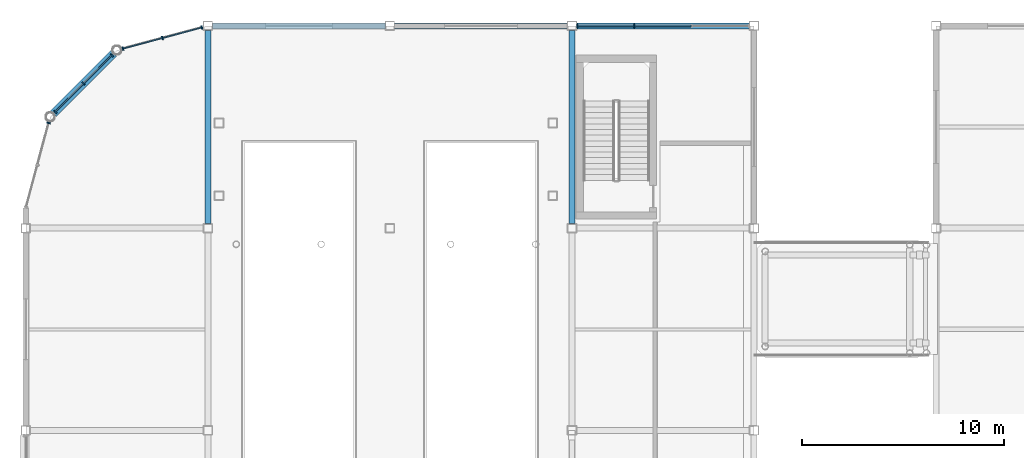
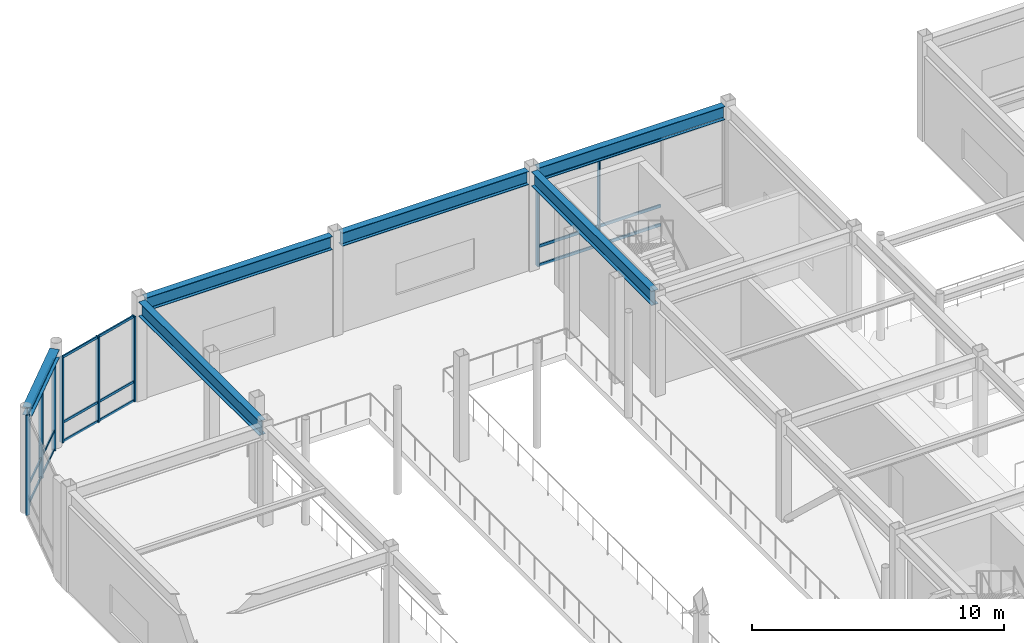
# One storey, part 44 of 123: 27 members, 6 beams, 4 elements without a shape of their own.
"""IFC4 building model written with IfcOpenShell, lengths in metres."""

from ifc_helpers import new_model, si_unit, direction, frame, origin, origin_2d, place, context, subcontext, project, spatial, rectangle, i_section, extrude, material, material_profile, profile_set, type_object, element, aggregate, save


model = new_model("IFC4")

# Units and contexts
model_context = context("Model", 3, precision=1e-05, world=origin(), true_north=direction((0.0, 1.0)))
body_context = subcontext(model_context, "Body", "Model", "MODEL_VIEW")
ifc_project = project(units=[si_unit("LENGTHUNIT", "METRE"), si_unit("AREAUNIT", "SQUARE_METRE"), si_unit("VOLUMEUNIT", "CUBIC_METRE"), si_unit("PLANEANGLEUNIT", "RADIAN"), si_unit("MASSUNIT", "GRAM", prefix="KILO")], contexts=[model_context])

# Site, building, storey
site_placement = place(None, origin())
site = spatial("IfcSite", under=ifc_project, at=site_placement, CompositionType="ELEMENT")
building_placement = place(site_placement, origin())
building = spatial("IfcBuilding", under=site, at=building_placement, Name="Suzunagisa Mobility Hub", CompositionType="ELEMENT")
storey_placement = place(building_placement, origin())
storey = spatial("IfcBuildingStorey", under=building, at=storey_placement, Name="L00", CompositionType="ELEMENT", Elevation=0.0)

# Curtain wall, members
ifc_material_1 = material(Name="Thermally Broken Anodized Aluminum and Low-E Glazing", Category="aluminium")
curtain_wall_type_1 = type_object("IfcCurtainWallType", Name="Unitised Curtain Wall CW-32 8500x4200", PredefinedType="USERDEFINED", material=ifc_material_1)
curtain_wall_1_placement = place(storey_placement, origin())
curtain_wall_1 = element("IfcCurtainWall", 1, at=curtain_wall_1_placement, inside=storey, type_object=curtain_wall_type_1, Name="L00 Unitised Curtain Wall CW-47", ObjectType="UNITISED CURTAIN WALL", PredefinedType="USERDEFINED")
ifc_material_2 = material(Name="Anodized Aluminum 6063-T6", Category="aluminium")
ifc_material_profile_1 = material_profile(ifc_material_2, rectangle(XDim=0.06494140625, YDim=0.139892578125, at=origin_2d()), Name="TRAN-65x140")
ifc_profile_set_1 = profile_set([ifc_material_profile_1], Name="Anodized Aluminum 6063-T6")
member_type_1 = type_object("IfcMemberType", Name="Curtain Wall Framing CM-01 TRAN-65x140", PredefinedType="USERDEFINED", material=ifc_profile_set_1)
member_1_placement = place(storey_placement, frame((32.89453125, 118.0, 0.032470703125), z_axis=(-1.0, 0.0, 0.0), x_axis=(0.0, -1.0, 0.0)))
member_1 = element("IfcMember", 2, at=member_1_placement, type_object=member_type_1, Name="Curtain Wall Transom 47-T2.1", ObjectType="TRANSOM", PredefinedType="USERDEFINED", context=body_context, shape_type="SweptSolid", body=[
    extrude(rectangle(XDim=0.06494140625, YDim=0.139892578125, at=origin_2d()), origin(), (0.0, 0.0, 1.0), 2.7890625),
])
member_2_placement = place(storey_placement, frame((32.89453125, 118.0, 0.949951171875), z_axis=(-1.0, 0.0, 0.0), x_axis=(0.0, -1.0, 0.0)))
member_2 = element("IfcMember", 3, at=member_2_placement, type_object=member_type_1, Name="Curtain Wall Transom 47-T2.2", ObjectType="TRANSOM", PredefinedType="USERDEFINED", context=body_context, shape_type="SweptSolid", body=[
    extrude(rectangle(XDim=0.06494140625, YDim=0.139892578125, at=origin_2d()), origin(), (0.0, 0.0, 1.0), 2.7890625),
])
member_3_placement = place(storey_placement, frame((32.89453125, 118.0, 4.157470703125), z_axis=(-1.0, 0.0, 0.0), x_axis=(0.0, -1.0, 0.0)))
member_3 = element("IfcMember", 4, at=member_3_placement, type_object=member_type_1, Name="Curtain Wall Transom 47-T2.3", ObjectType="TRANSOM", PredefinedType="USERDEFINED", context=body_context, shape_type="SweptSolid", body=[
    extrude(rectangle(XDim=0.06494140625, YDim=0.139892578125, at=origin_2d()), origin(), (0.0, 0.0, 1.0), 2.7890625),
])
member_4_placement = place(storey_placement, frame((30.04443359375, 118.0, 0.032470703125), z_axis=(-1.0, 0.0, 0.0), x_axis=(0.0, -1.0, 0.0)))
member_4 = element("IfcMember", 5, at=member_4_placement, type_object=member_type_1, Name="Curtain Wall Transom 47-T3.1", ObjectType="TRANSOM", PredefinedType="USERDEFINED", context=body_context, shape_type="SweptSolid", body=[
    extrude(rectangle(XDim=0.06494140625, YDim=0.139892578125, at=origin_2d()), origin(), (0.0, 0.0, 1.0), 2.75634765625),
])
member_5_placement = place(storey_placement, frame((30.04443359375, 118.0, 0.949951171875), z_axis=(-1.0, 0.0, 0.0), x_axis=(0.0, -1.0, 0.0)))
member_5 = element("IfcMember", 6, at=member_5_placement, type_object=member_type_1, Name="Curtain Wall Transom 47-T3.2", ObjectType="TRANSOM", PredefinedType="USERDEFINED", context=body_context, shape_type="SweptSolid", body=[
    extrude(rectangle(XDim=0.06494140625, YDim=0.139892578125, at=origin_2d()), origin(), (0.0, 0.0, 1.0), 2.75634765625),
])
member_6_placement = place(storey_placement, frame((30.04443359375, 118.0, 4.157470703125), z_axis=(-1.0, 0.0, 0.0), x_axis=(0.0, -1.0, 0.0)))
member_6 = element("IfcMember", 7, at=member_6_placement, type_object=member_type_1, Name="Curtain Wall Transom 47-T3.3", ObjectType="TRANSOM", PredefinedType="USERDEFINED", context=body_context, shape_type="SweptSolid", body=[
    extrude(rectangle(XDim=0.06494140625, YDim=0.139892578125, at=origin_2d()), origin(), (0.0, 0.0, 1.0), 2.75634765625),
])

curtain_wall_type_2 = type_object("IfcCurtainWallType", Name="Unitised Curtain Wall CW-40 4000x4100", PredefinedType="USERDEFINED", material=ifc_material_1)
curtain_wall_2_placement = place(storey_placement, origin())
curtain_wall_2 = element("IfcCurtainWall", 8, at=curtain_wall_2_placement, inside=storey, type_object=curtain_wall_type_2, Name="L00 Unitised Curtain Wall CW-48", ObjectType="UNITISED CURTAIN WALL", PredefinedType="USERDEFINED")
ifc_material_profile_2 = material_profile(ifc_material_2, rectangle(XDim=0.06005859375, YDim=0.1201171875, at=origin_2d()), Name="TRAN-60x120")
ifc_profile_set_2 = profile_set([ifc_material_profile_2], Name="Anodized Aluminum 6063-T6")
member_type_2 = type_object("IfcMemberType", Name="Curtain Wall Framing CM-02 TRAN-60x120", PredefinedType="USERDEFINED", material=ifc_profile_set_2)
member_7_placement = place(storey_placement, frame((8.6728515625, 117.912353515625, 0.030029296875), z_axis=(-0.965919666478, -0.258842032736, 0.0), x_axis=(0.258842032736, -0.965919666478, 0.0)))
member_7 = element("IfcMember", 9, at=member_7_placement, type_object=member_type_2, Name="Curtain Wall Transom 48-T1.1", ObjectType="TRANSOM", PredefinedType="USERDEFINED", context=body_context, shape_type="SweptSolid", body=[
    extrude(rectangle(XDim=0.06005859375, YDim=0.1201171875, at=origin_2d()), origin(), (0.0, 0.0, 1.0), 1.9580078125),
])
member_8_placement = place(storey_placement, frame((8.6728515625, 117.912353515625, 0.949951171875), z_axis=(-0.965919666478, -0.258842032736, 0.0), x_axis=(0.258842032736, -0.965919666478, 0.0)))
member_8 = element("IfcMember", 10, at=member_8_placement, type_object=member_type_2, Name="Curtain Wall Transom 48-T1.2", ObjectType="TRANSOM", PredefinedType="USERDEFINED", context=body_context, shape_type="SweptSolid", body=[
    extrude(rectangle(XDim=0.06005859375, YDim=0.1201171875, at=origin_2d()), origin(), (0.0, 0.0, 1.0), 1.9580078125),
])
member_9_placement = place(storey_placement, frame((8.6728515625, 117.912353515625, 4.110107421875), z_axis=(-0.965919666478, -0.258842032736, 0.0), x_axis=(0.258842032736, -0.965919666478, 0.0)))
member_9 = element("IfcMember", 11, at=member_9_placement, type_object=member_type_2, Name="Curtain Wall Transom 48-T1.3", ObjectType="TRANSOM", PredefinedType="USERDEFINED", context=body_context, shape_type="SweptSolid", body=[
    extrude(rectangle(XDim=0.06005859375, YDim=0.1201171875, at=origin_2d()), origin(), (0.0, 0.0, 1.0), 1.9580078125),
])
member_10_placement = place(storey_placement, frame((6.72265625, 117.389892578125, 0.030029296875), z_axis=(-0.965919666478, -0.258842032736, 0.0), x_axis=(0.258842032736, -0.965919666478, 0.0)))
member_10 = element("IfcMember", 12, at=member_10_placement, type_object=member_type_2, Name="Curtain Wall Transom 48-T2.1", ObjectType="TRANSOM", PredefinedType="USERDEFINED", context=body_context, shape_type="SweptSolid", body=[
    extrude(rectangle(XDim=0.06005859375, YDim=0.1201171875, at=origin_2d()), origin(), (0.0, 0.0, 1.0), 1.9580078125),
])
member_11_placement = place(storey_placement, frame((6.72265625, 117.389892578125, 0.949951171875), z_axis=(-0.965919666478, -0.258842032736, 0.0), x_axis=(0.258842032736, -0.965919666478, 0.0)))
member_11 = element("IfcMember", 13, at=member_11_placement, type_object=member_type_2, Name="Curtain Wall Transom 48-T2.2", ObjectType="TRANSOM", PredefinedType="USERDEFINED", context=body_context, shape_type="SweptSolid", body=[
    extrude(rectangle(XDim=0.06005859375, YDim=0.1201171875, at=origin_2d()), origin(), (0.0, 0.0, 1.0), 1.9580078125),
])
member_12_placement = place(storey_placement, frame((6.72265625, 117.389892578125, 4.110107421875), z_axis=(-0.965919666478, -0.258842032736, 0.0), x_axis=(0.258842032736, -0.965919666478, 0.0)))
member_12 = element("IfcMember", 14, at=member_12_placement, type_object=member_type_2, Name="Curtain Wall Transom 48-T2.3", ObjectType="TRANSOM", PredefinedType="USERDEFINED", context=body_context, shape_type="SweptSolid", body=[
    extrude(rectangle(XDim=0.06005859375, YDim=0.1201171875, at=origin_2d()), origin(), (0.0, 0.0, 1.0), 1.9580078125),
])

curtain_wall_type_3 = type_object("IfcCurtainWallType", Name="Unitised Curtain Wall CW-26 4000x4400", PredefinedType="USERDEFINED", material=ifc_material_1)
curtain_wall_3_placement = place(storey_placement, origin())
curtain_wall_3 = element("IfcCurtainWall", 15, at=curtain_wall_3_placement, inside=storey, type_object=curtain_wall_type_3, Name="L00 Unitised Curtain Wall CW-49", ObjectType="UNITISED CURTAIN WALL", PredefinedType="USERDEFINED")
member_13_placement = place(storey_placement, frame((4.226806640625, 116.52099609375, 0.030029296875), z_axis=(-0.707106781187, -0.707106781187, 0.0), x_axis=(0.707106781187, -0.707106781187, 0.0)))
member_13 = element("IfcMember", 16, at=member_13_placement, type_object=member_type_2, Name="Curtain Wall Transom 49-T1.1", ObjectType="TRANSOM", PredefinedType="USERDEFINED", context=body_context, shape_type="SweptSolid", body=[
    extrude(rectangle(XDim=0.06005859375, YDim=0.1201171875, at=origin_2d()), origin(), (0.0, 0.0, 1.0), 1.912353515625),
])
member_14_placement = place(storey_placement, frame((4.226806640625, 116.52099609375, 0.949951171875), z_axis=(-0.707106781187, -0.707106781187, 0.0), x_axis=(0.707106781187, -0.707106781187, 0.0)))
member_14 = element("IfcMember", 17, at=member_14_placement, type_object=member_type_2, Name="Curtain Wall Transom 49-T1.2", ObjectType="TRANSOM", PredefinedType="USERDEFINED", context=body_context, shape_type="SweptSolid", body=[
    extrude(rectangle(XDim=0.06005859375, YDim=0.1201171875, at=origin_2d()), origin(), (0.0, 0.0, 1.0), 1.912353515625),
])
member_15_placement = place(storey_placement, frame((4.226806640625, 116.52099609375, 4.409912109375), z_axis=(-0.707106781187, -0.707106781187, 0.0), x_axis=(0.707106781187, -0.707106781187, 0.0)))
member_15 = element("IfcMember", 18, at=member_15_placement, type_object=member_type_2, Name="Curtain Wall Transom 49-T1.3", ObjectType="TRANSOM", PredefinedType="USERDEFINED", context=body_context, shape_type="SweptSolid", body=[
    extrude(rectangle(XDim=0.06005859375, YDim=0.1201171875, at=origin_2d()), origin(), (0.0, 0.0, 1.0), 1.912353515625),
])
member_16_placement = place(storey_placement, frame((2.831298828125, 115.12548828125, 0.030029296875), z_axis=(-0.707106781187, -0.707106781187, 0.0), x_axis=(0.707106781187, -0.707106781187, 0.0)))
member_16 = element("IfcMember", 19, at=member_16_placement, type_object=member_type_2, Name="Curtain Wall Transom 49-T2.1", ObjectType="TRANSOM", PredefinedType="USERDEFINED", context=body_context, shape_type="SweptSolid", body=[
    extrude(rectangle(XDim=0.06005859375, YDim=0.1201171875, at=origin_2d()), origin(), (0.0, 0.0, 1.0), 1.912353515625),
])
member_17_placement = place(storey_placement, frame((2.831298828125, 115.12548828125, 0.949951171875), z_axis=(-0.707106781187, -0.707106781187, 0.0), x_axis=(0.707106781187, -0.707106781187, 0.0)))
member_17 = element("IfcMember", 20, at=member_17_placement, type_object=member_type_2, Name="Curtain Wall Transom 49-T2.2", ObjectType="TRANSOM", PredefinedType="USERDEFINED", context=body_context, shape_type="SweptSolid", body=[
    extrude(rectangle(XDim=0.06005859375, YDim=0.1201171875, at=origin_2d()), origin(), (0.0, 0.0, 1.0), 1.912353515625),
])
member_18_placement = place(storey_placement, frame((2.831298828125, 115.12548828125, 4.409912109375), z_axis=(-0.707106781187, -0.707106781187, 0.0), x_axis=(0.707106781187, -0.707106781187, 0.0)))
member_18 = element("IfcMember", 21, at=member_18_placement, type_object=member_type_2, Name="Curtain Wall Transom 49-T2.3", ObjectType="TRANSOM", PredefinedType="USERDEFINED", context=body_context, shape_type="SweptSolid", body=[
    extrude(rectangle(XDim=0.06005859375, YDim=0.1201171875, at=origin_2d()), origin(), (0.0, 0.0, 1.0), 1.912353515625),
])

# Member
ifc_material_profile_3 = material_profile(ifc_material_2, rectangle(XDim=0.06494140625, YDim=0.179931640625, at=origin_2d()), Name="MULL-65x180")
ifc_profile_set_3 = profile_set([ifc_material_profile_3], Name="Anodized Aluminum 6063-T6")
member_type_3 = type_object("IfcMemberType", Name="Curtain Wall Framing CM-04 MULL-65x180", PredefinedType="MULLION", material=ifc_profile_set_3)
member_19_placement = place(storey_placement, frame((30.074951171875, 118.0, 0.0), z_axis=(0.0, 0.0, 1.0), x_axis=(-1.0, 0.0, 0.0)))
member_19 = element("IfcMember", 22, at=member_19_placement, type_object=member_type_3, Name="Curtain Wall Mullion 47-M3", PredefinedType="MULLION", context=body_context, shape_type="SweptSolid", body=[
    extrude(rectangle(XDim=0.06494140625, YDim=0.179931640625, at=origin_2d()), origin(), (0.0, 0.0, 1.0), 4.18994140625),
])

member_20_placement = place(storey_placement, frame((27.257568359375, 118.0, 0.0), z_axis=(0.0, 0.0, 1.0), x_axis=(-1.0, 0.0, 0.0)))
member_20 = element("IfcMember", 23, at=member_20_placement, type_object=member_type_3, Name="Curtain Wall Mullion 47-M4", PredefinedType="MULLION", context=body_context, shape_type="SweptSolid", body=[
    extrude(rectangle(XDim=0.06494140625, YDim=0.179931640625, at=origin_2d()), origin(), (0.0, 0.0, 1.0), 4.18994140625),
])

aggregate(curtain_wall_1, [member_19, member_20, member_1, member_2, member_3, member_4, member_5, member_6])

member_21_placement = place(storey_placement, frame((8.702392578125, 117.92041015625, 0.0), z_axis=(0.0, 0.0, 1.0), x_axis=(-0.965925206606, -0.258821357779, 0.0)))
member_21 = element("IfcMember", 24, at=member_21_placement, type_object=member_type_3, Name="Curtain Wall Mullion 48-M1", PredefinedType="MULLION", context=body_context, shape_type="SweptSolid", body=[
    extrude(rectangle(XDim=0.06494140625, YDim=0.179931640625, at=origin_2d()), origin(), (0.0, 0.0, 1.0), 4.139892578125),
])

member_22_placement = place(storey_placement, frame((6.752197265625, 117.397705078125, 0.0), z_axis=(0.0, 0.0, 1.0), x_axis=(-0.965925206606, -0.258821357779, 0.0)))
member_22 = element("IfcMember", 25, at=member_22_placement, type_object=member_type_3, Name="Curtain Wall Mullion 48-M2", PredefinedType="MULLION", context=body_context, shape_type="SweptSolid", body=[
    extrude(rectangle(XDim=0.06494140625, YDim=0.179931640625, at=origin_2d()), origin(), (0.0, 0.0, 1.0), 4.139892578125),
])

member_23_placement = place(storey_placement, frame((4.8017578125, 116.875, 0.0), z_axis=(0.0, 0.0, 1.0), x_axis=(-0.965925206606, -0.258821357779, 0.0)))
member_23 = element("IfcMember", 26, at=member_23_placement, type_object=member_type_3, Name="Curtain Wall Mullion 48-M3", PredefinedType="MULLION", context=body_context, shape_type="SweptSolid", body=[
    extrude(rectangle(XDim=0.06494140625, YDim=0.179931640625, at=origin_2d()), origin(), (0.0, 0.0, 1.0), 4.139892578125),
])

aggregate(curtain_wall_2, [member_21, member_22, member_23, member_7, member_8, member_9, member_10, member_11, member_12])

member_24_placement = place(storey_placement, frame((4.248291015625, 116.54248046875, 0.0), z_axis=(0.0, 0.0, 1.0), x_axis=(-0.707106781187, -0.707106781187, 0.0)))
member_24 = element("IfcMember", 27, at=member_24_placement, type_object=member_type_3, Name="Curtain Wall Mullion 49-M1", PredefinedType="MULLION", context=body_context, shape_type="SweptSolid", body=[
    extrude(rectangle(XDim=0.06494140625, YDim=0.179931640625, at=origin_2d()), origin(), (0.0, 0.0, 1.0), 4.43994140625),
])

member_25_placement = place(storey_placement, frame((2.852783203125, 115.147216796875, 0.0), z_axis=(0.0, 0.0, 1.0), x_axis=(-0.707106781187, -0.707106781187, 0.0)))
member_25 = element("IfcMember", 28, at=member_25_placement, type_object=member_type_3, Name="Curtain Wall Mullion 49-M2", PredefinedType="MULLION", context=body_context, shape_type="SweptSolid", body=[
    extrude(rectangle(XDim=0.06494140625, YDim=0.179931640625, at=origin_2d()), origin(), (0.0, 0.0, 1.0), 4.43994140625),
])

member_26_placement = place(storey_placement, frame((1.45751953125, 113.751708984375, 0.0), z_axis=(0.0, 0.0, 1.0), x_axis=(-0.707106781187, -0.707106781187, 0.0)))
member_26 = element("IfcMember", 29, at=member_26_placement, type_object=member_type_3, Name="Curtain Wall Mullion 49-M3", PredefinedType="MULLION", context=body_context, shape_type="SweptSolid", body=[
    extrude(rectangle(XDim=0.06494140625, YDim=0.179931640625, at=origin_2d()), origin(), (0.0, 0.0, 1.0), 4.43994140625),
])

aggregate(curtain_wall_3, [member_24, member_25, member_26, member_13, member_14, member_15, member_16, member_17, member_18])

# Curtain wall, member
curtain_wall_type_4 = type_object("IfcCurtainWallType", Name="Unitised Curtain Wall CW-08 4500x4800", PredefinedType="USERDEFINED", material=ifc_material_1)
curtain_wall_4_placement = place(storey_placement, origin())
curtain_wall_4 = element("IfcCurtainWall", 30, at=curtain_wall_4_placement, inside=storey, type_object=curtain_wall_type_4, Name="L00 Unitised Curtain Wall CW-50", ObjectType="UNITISED CURTAIN WALL", PredefinedType="USERDEFINED")
member_27_placement = place(storey_placement, frame((1.125, 113.1982421875, 0.0), z_axis=(0.0, 0.0, 1.0), x_axis=(-0.258815230137, -0.965926848498, 0.0)))
member_27 = element("IfcMember", 31, at=member_27_placement, type_object=member_type_3, Name="Curtain Wall Mullion 50-M1", PredefinedType="MULLION", context=body_context, shape_type="SweptSolid", body=[
    extrude(rectangle(XDim=0.06494140625, YDim=0.179931640625, at=origin_2d()), origin(), (0.0, 0.0, 1.0), 4.840087890625),
])
aggregate(curtain_wall_4, [member_27])

# Beams
ifc_material_3 = material(Name="Steel SN490B", Category="steel")
ifc_material_profile_4 = material_profile(ifc_material_3, i_section(OverallWidth=0.300048828125, OverallDepth=0.64990234375, WebThickness=0.012939453125, FlangeThickness=0.02197265625, FilletRadius=0.01611328125, at=origin_2d()), Name="H-650x300x13x22")
ifc_profile_set_4 = profile_set([ifc_material_profile_4], Name="Steel SN490B")
beam_type_1 = type_object("IfcBeamType", Name="Steel Beam BM-10 H-650x300x13x22", PredefinedType="BEAM", material=ifc_profile_set_4)
for number, where, z_axis, x_axis, name in (
    (32, (9.220947265625, 118.0, 4.514892578125), (1.0, 0.0, 0.0), (0.0, 1.0, 0.0), "L00 Primary Girder GX-461"),
    (33, (18.220947265625, 118.0, 4.514892578125), (1.0, 0.0, 0.0), (0.0, 1.0, 0.0), "L00 Primary Girder GX-462"),
    (34, (27.220947265625, 118.0, 4.514892578125), (1.0, 0.0, 0.0), (0.0, 1.0, 0.0), "L00 Primary Girder GX-463"),
):
    element("IfcBeam", number, at=place(storey_placement, frame(where, z_axis=z_axis, x_axis=x_axis)), inside=storey, type_object=beam_type_1, Name=name, PredefinedType="BEAM", context=body_context, shape_type="SweptSolid", body=[
        extrude(i_section(OverallWidth=0.300048828125, OverallDepth=0.64990234375, WebThickness=0.012939453125, FlangeThickness=0.02197265625, FilletRadius=0.01611328125, at=origin_2d()), origin(), (0.0, 0.0, 1.0), 8.55810546875),
    ])
ifc_material_profile_5 = material_profile(ifc_material_3, i_section(OverallWidth=0.300048828125, OverallDepth=0.699951171875, WebThickness=0.012939453125, FlangeThickness=0.02392578125, FilletRadius=0.01806640625, at=origin_2d()), Name="H-700x300x13x24")
ifc_profile_set_5 = profile_set([ifc_material_profile_5], Name="Steel SN490B")
beam_type_2 = type_object("IfcBeamType", Name="Steel Beam BM-11 H-700x300x13x24", PredefinedType="BEAM", material=ifc_profile_set_5)
for number, where, z_axis, x_axis, name in (
    (35, (9.0, 108.220947265625, 4.489990234375), (0.0, 1.0, 0.0), (-1.0, 0.0, 0.0), "L00 Primary Girder GY-469"),
    (36, (27.0, 108.220947265625, 4.489990234375), (0.0, 1.0, 0.0), (-1.0, 0.0, 0.0), "L00 Primary Girder GY-474"),
):
    element("IfcBeam", number, at=place(storey_placement, frame(where, z_axis=z_axis, x_axis=x_axis)), inside=storey, type_object=beam_type_2, Name=name, PredefinedType="BEAM", context=body_context, shape_type="SweptSolid", body=[
        extrude(i_section(OverallWidth=0.300048828125, OverallDepth=0.699951171875, WebThickness=0.012939453125, FlangeThickness=0.02392578125, FilletRadius=0.01806640625, at=origin_2d()), origin(), (0.0, 0.0, 1.0), 9.55810546875),
    ])
ifc_material_profile_6 = material_profile(ifc_material_3, i_section(OverallWidth=0.39990234375, OverallDepth=0.39990234375, WebThickness=0.012939453125, FlangeThickness=0.02099609375, FilletRadius=0.01611328125, at=origin_2d()), Name="H-400x400x13x21")
ifc_profile_set_6 = profile_set([ifc_material_profile_6], Name="Steel SN490B")
beam_type_3 = type_object("IfcBeamType", Name="Steel Beam BM-12 H-400x400x13x21", PredefinedType="SPANDREL", material=ifc_profile_set_6)
beam_placement = place(storey_placement, frame((4.33837890625, 116.632568359375, 4.639892578125), z_axis=(-0.707106781187, -0.707106781187, 0.0), x_axis=(0.707106781187, -0.707106781187, 0.0)))
element("IfcBeam", 37, at=beam_placement, inside=storey, type_object=beam_type_3, Name="L00 Streamline Prow Spandrel 480", PredefinedType="SPANDREL", context=body_context, shape_type="SweptSolid", body=[
    extrude(i_section(OverallWidth=0.39990234375, OverallDepth=0.39990234375, WebThickness=0.012939453125, FlangeThickness=0.02099609375, FilletRadius=0.01611328125, at=origin_2d()), origin(), (0.0, 0.0, 1.0), 4.20166015625),
])

save(model, "model.ifc")
